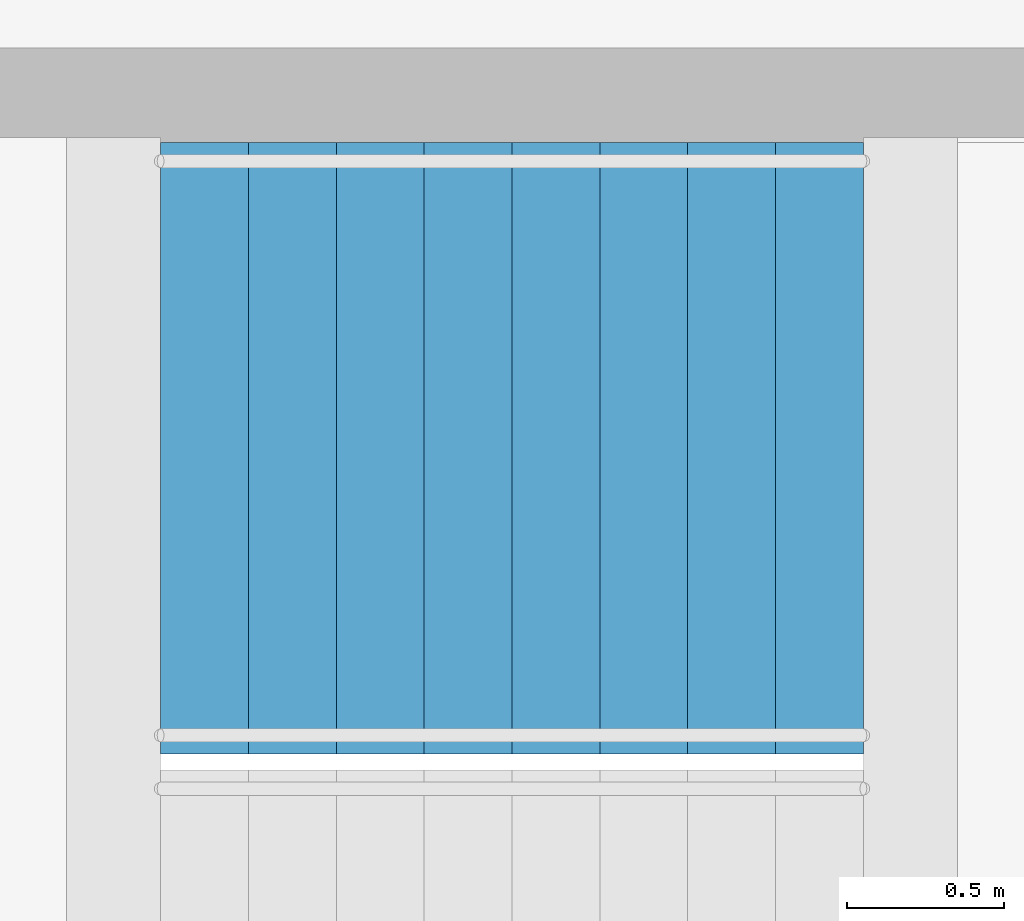
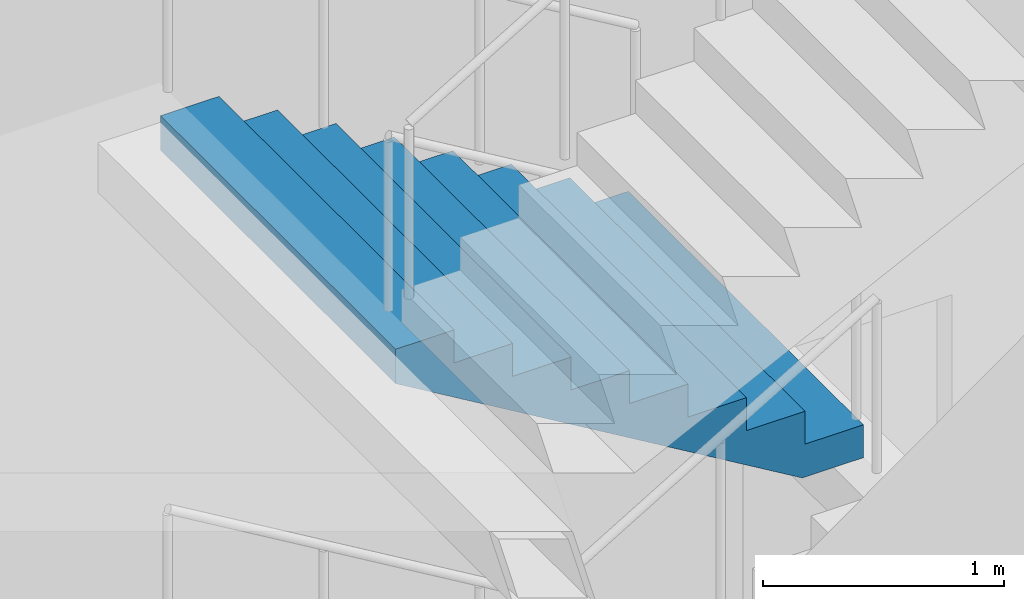
# One storey, part 34 of 57: 1 stair flight, 1 element without a shape of its own.
"""IFC4 building model written with IfcOpenShell, lengths in metres."""

from ifc_helpers import new_model, si_unit, direction, frame, origin, place, context, subcontext, project, spatial, triangles, material, type_object, element, aggregate, save


model = new_model("IFC4")

# Units and contexts
model_context = context("Model", 3, precision=1e-05, world=origin(), true_north=direction((0.0, 1.0)))
body_context = subcontext(model_context, "Body", "Model", "MODEL_VIEW")
ifc_project = project(units=[si_unit("LENGTHUNIT", "METRE"), si_unit("AREAUNIT", "SQUARE_METRE"), si_unit("VOLUMEUNIT", "CUBIC_METRE"), si_unit("PLANEANGLEUNIT", "RADIAN"), si_unit("MASSUNIT", "GRAM", prefix="KILO")], contexts=[model_context])

# Site, building, storey
site_placement = place(None, origin())
site = spatial("IfcSite", under=ifc_project, at=site_placement, CompositionType="ELEMENT")
building_placement = place(site_placement, origin())
building = spatial("IfcBuilding", under=site, at=building_placement, Name="Orbita Commons", CompositionType="ELEMENT")
storey_placement = place(building_placement, origin())
storey = spatial("IfcBuildingStorey", under=building, at=storey_placement, Name="L00", CompositionType="ELEMENT", Elevation=0.0)

# Stair, stair flight
ifc_material_1 = material(Name="Precast concrete C40/50", Category="concrete")
stair_type = type_object("IfcStairType", Name="Exit stair S2 4 flights 9 risers 167", PredefinedType="HALF_TURN_STAIR", material=ifc_material_1)
stair_placement = place(storey_placement, origin())
stair = element("IfcStair", 1, at=stair_placement, inside=storey, type_object=stair_type, Name="Exit stair S2 L00", PredefinedType="HALF_TURN_STAIR")
ifc_material_2 = material(Name="Precast concrete C40/50", Category="concrete")
stair_flight_type = type_object("IfcStairFlightType", Name="Stair flight 9 risers 167 x 280", PredefinedType="STRAIGHT", material=ifc_material_2)
stair_flight_placement = place(storey_placement, frame((63.550048828125, 29.27490234375, 3.0), z_axis=(0.0, 0.0, 1.0), x_axis=(-1.0, 0.0, 0.0)))
stair_flight = element("IfcStairFlight", 2, at=stair_flight_placement, type_object=stair_flight_type, Name="S2 flight 3", NumberOfRisers=9, NumberOfTreads=8, PredefinedType="STRAIGHT", RiserHeight=0.166666667, TreadLength=0.28, context=body_context, shape_type="Tessellation", body=[
    triangles([(0.0, 0.974976, 0.0), (0.0, 0.974976, 0.020833), (0.0, 0.81248, 0.020833), (0.0, 0.81248, 0.0), (0.0, 0.649984, 0.020833), (0.0, 0.649984, 0.0), (0.0, 0.487488, 0.020833), (0.0, 0.487488, 0.0), (0.0, 0.324992, 0.020833), (0.0, 0.324992, 0.0), (0.0, 0.162496, 0.020833), (0.0, 0.162496, 0.0), (0.0, 0.0, 0.020833), (0.0, 0.0, 0.0), (0.0, -0.162496, 0.020833), (0.0, -0.162496, 0.0), (0.0, -0.324992, 0.020833), (0.0, -0.324992, 0.0), (0.0, -0.487488, 0.020833), (0.0, -0.487488, 0.0), (0.0, -0.649984, 0.020833), (0.0, -0.649984, 0.0), (0.0, -0.81248, 0.020833), (0.0, -0.81248, 0.0), (0.0, -0.974976, 0.020833), (0.0, -0.974976, 0.0), (0.0, 0.974976, 0.041667), (0.0, 0.81248, 0.041667), (0.0, 0.649984, 0.041667), (0.0, 0.487488, 0.041667), (0.0, 0.324992, 0.041667), (0.0, 0.162496, 0.041667), (0.0, 0.0, 0.041667), (0.0, -0.162496, 0.041667), (0.0, -0.324992, 0.041667), (0.0, -0.487488, 0.041667), (0.0, -0.649984, 0.041667), (0.0, -0.81248, 0.041667), (0.0, -0.974976, 0.041667), (0.0, 0.974976, 0.0625), (0.0, 0.81248, 0.0625), (0.0, 0.649984, 0.0625), (0.0, 0.487488, 0.0625), (0.0, 0.324992, 0.0625), (0.0, 0.162496, 0.0625), (0.0, 0.0, 0.0625), (0.0, -0.162496, 0.0625), (0.0, -0.324992, 0.0625), (0.0, -0.487488, 0.0625), (0.0, -0.649984, 0.0625), (0.0, -0.81248, 0.0625), (0.0, -0.974976, 0.0625), (0.0, 0.974976, 0.083333), (0.0, 0.81248, 0.083333), (0.0, 0.649984, 0.083333), (0.0, 0.487488, 0.083333), (0.0, 0.324992, 0.083333), (0.0, 0.162496, 0.083333), (0.0, 0.0, 0.083333), (0.0, -0.162496, 0.083333), (0.0, -0.324992, 0.083333), (0.0, -0.487488, 0.083333), (0.0, -0.649984, 0.083333), (0.0, -0.81248, 0.083333), (0.0, -0.974976, 0.083333), (0.0, 0.974976, 0.104167), (0.0, 0.81248, 0.104167), (0.0, 0.649984, 0.104167), (0.0, 0.487488, 0.104167), (0.0, 0.324992, 0.104167), (0.0, 0.162496, 0.104167), (0.0, 0.0, 0.104167), (0.0, -0.162496, 0.104167), (0.0, -0.324992, 0.104167), (0.0, -0.487488, 0.104167), (0.0, -0.649984, 0.104167), (0.0, -0.81248, 0.104167), (0.0, -0.974976, 0.104167), (0.0, 0.974976, 0.125), (0.0, 0.81248, 0.125), (0.0, 0.649984, 0.125), (0.0, 0.487488, 0.125), (0.0, 0.324992, 0.125), (0.0, 0.162496, 0.125), (0.0, 0.0, 0.125), (0.0, -0.162496, 0.125), (0.0, -0.324992, 0.125), (0.0, -0.487488, 0.125), (0.0, -0.649984, 0.125), (0.0, -0.81248, 0.125), (0.0, -0.974976, 0.125), (0.0, 0.974976, 0.145833), (0.0, 0.81248, 0.145833), (0.0, 0.649984, 0.145833), (0.0, 0.487488, 0.145833), (0.0, 0.324992, 0.145833), (0.0, 0.162496, 0.145833), (0.0, 0.0, 0.145833), (0.0, -0.162496, 0.145833), (0.0, -0.324992, 0.145833), (0.0, -0.487488, 0.145833), (0.0, -0.649984, 0.145833), (0.0, -0.81248, 0.145833), (0.0, -0.974976, 0.145833), (0.0, 0.974976, 0.166667), (0.0, 0.81248, 0.166667), (0.0, 0.649984, 0.166667), (0.0, 0.487488, 0.166667), (0.0, 0.324992, 0.166667), (0.0, 0.162496, 0.166667), (0.0, 0.0, 0.166667), (0.0, -0.162496, 0.166667), (0.0, -0.324992, 0.166667), (0.0, -0.487488, 0.166667), (0.0, -0.649984, 0.166667), (0.0, -0.81248, 0.166667), (0.0, -0.974976, 0.166667), (0.28, 0.974976, 0.166667), (0.28, 0.81248, 0.166667), (0.28, 0.649984, 0.166667), (0.28, 0.487488, 0.166667), (0.28, 0.324992, 0.166667), (0.28, 0.162496, 0.166667), (0.28, 0.0, 0.166667), (0.28, -0.162496, 0.166667), (0.28, -0.324992, 0.166667), (0.28, -0.487488, 0.166667), (0.28, -0.649984, 0.166667), (0.28, -0.81248, 0.166667), (0.28, -0.974976, 0.166667), (0.28, 0.974976, 0.333333), (0.28, 0.81248, 0.333333), (0.28, 0.649984, 0.333333), (0.28, 0.487488, 0.333333), (0.28, 0.324992, 0.333333), (0.28, 0.162496, 0.333333), (0.28, 0.0, 0.333333), (0.28, -0.162496, 0.333333), (0.28, -0.324992, 0.333333), (0.28, -0.487488, 0.333333), (0.28, -0.649984, 0.333333), (0.28, -0.81248, 0.333333), (0.28, -0.974976, 0.333333), (0.56, 0.974976, 0.333333), (0.56, 0.81248, 0.333333), (0.56, 0.649984, 0.333333), (0.56, 0.487488, 0.333333), (0.56, 0.324992, 0.333333), (0.56, 0.162496, 0.333333), (0.56, 0.0, 0.333333), (0.56, -0.162496, 0.333333), (0.56, -0.324992, 0.333333), (0.56, -0.487488, 0.333333), (0.56, -0.649984, 0.333333), (0.56, -0.81248, 0.333333), (0.56, -0.974976, 0.333333), (0.56, 0.974976, 0.5), (0.56, 0.81248, 0.5), (0.56, 0.649984, 0.5), (0.56, 0.487488, 0.5), (0.56, 0.324992, 0.5), (0.56, 0.162496, 0.5), (0.56, 0.0, 0.5), (0.56, -0.162496, 0.5), (0.56, -0.324992, 0.5), (0.56, -0.487488, 0.5), (0.56, -0.649984, 0.5), (0.56, -0.81248, 0.5), (0.56, -0.974976, 0.5), (0.84, 0.974976, 0.5), (0.84, 0.81248, 0.5), (0.84, 0.649984, 0.5), (0.84, 0.487488, 0.5), (0.84, 0.324992, 0.5), (0.84, 0.162496, 0.5), (0.84, 0.0, 0.5), (0.84, -0.162496, 0.5), (0.84, -0.324992, 0.5), (0.84, -0.487488, 0.5), (0.84, -0.649984, 0.5), (0.84, -0.81248, 0.5), (0.84, -0.974976, 0.5), (0.84, 0.974976, 0.666667), (0.84, 0.81248, 0.666667), (0.84, 0.649984, 0.666667), (0.84, 0.487488, 0.666667), (0.84, 0.324992, 0.666667), (0.84, 0.162496, 0.666667), (0.84, 0.0, 0.666667), (0.84, -0.162496, 0.666667), (0.84, -0.324992, 0.666667), (0.84, -0.487488, 0.666667), (0.84, -0.649984, 0.666667), (0.84, -0.81248, 0.666667), (0.84, -0.974976, 0.666667), (1.12, 0.974976, 0.666667), (1.12, 0.81248, 0.666667), (1.12, 0.649984, 0.666667), (1.12, 0.487488, 0.666667), (1.12, 0.324992, 0.666667), (1.12, 0.162496, 0.666667), (1.12, 0.0, 0.666667), (1.12, -0.162496, 0.666667), (1.12, -0.324992, 0.666667), (1.12, -0.487488, 0.666667), (1.12, -0.649984, 0.666667), (1.12, -0.81248, 0.666667), (1.12, -0.974976, 0.666667), (1.12, 0.974976, 0.833333), (1.12, 0.81248, 0.833333), (1.12, 0.649984, 0.833333), (1.12, 0.487488, 0.833333), (1.12, 0.324992, 0.833333), (1.12, 0.162496, 0.833333), (1.12, 0.0, 0.833333), (1.12, -0.162496, 0.833333), (1.12, -0.324992, 0.833333), (1.12, -0.487488, 0.833333), (1.12, -0.649984, 0.833333), (1.12, -0.81248, 0.833333), (1.12, -0.974976, 0.833333), (1.4, 0.974976, 0.833333), (1.4, 0.81248, 0.833333), (1.4, 0.649984, 0.833333), (1.4, 0.487488, 0.833333), (1.4, 0.324992, 0.833333), (1.4, 0.162496, 0.833333), (1.4, 0.0, 0.833333), (1.4, -0.162496, 0.833333), (1.4, -0.324992, 0.833333), (1.4, -0.487488, 0.833333), (1.4, -0.649984, 0.833333), (1.4, -0.81248, 0.833333), (1.4, -0.974976, 0.833333), (1.4, 0.974976, 1.0), (1.4, 0.81248, 1.0), (1.4, 0.649984, 1.0), (1.4, 0.487488, 1.0), (1.4, 0.324992, 1.0), (1.4, 0.162496, 1.0), (1.4, 0.0, 1.0), (1.4, -0.162496, 1.0), (1.4, -0.324992, 1.0), (1.4, -0.487488, 1.0), (1.4, -0.649984, 1.0), (1.4, -0.81248, 1.0), (1.4, -0.974976, 1.0), (1.68, 0.974976, 1.0), (1.68, 0.81248, 1.0), (1.68, 0.649984, 1.0), (1.68, 0.487488, 1.0), (1.68, 0.324992, 1.0), (1.68, 0.162496, 1.0), (1.68, 0.0, 1.0), (1.68, -0.162496, 1.0), (1.68, -0.324992, 1.0), (1.68, -0.487488, 1.0), (1.68, -0.649984, 1.0), (1.68, -0.81248, 1.0), (1.68, -0.974976, 1.0), (1.68, 0.974976, 1.166667), (1.68, 0.81248, 1.166667), (1.68, 0.649984, 1.166667), (1.68, 0.487488, 1.166667), (1.68, 0.324992, 1.166667), (1.68, 0.162496, 1.166667), (1.68, 0.0, 1.166667), (1.68, -0.162496, 1.166667), (1.68, -0.324992, 1.166667), (1.68, -0.487488, 1.166667), (1.68, -0.649984, 1.166667), (1.68, -0.81248, 1.166667), (1.68, -0.974976, 1.166667), (1.96, 0.974976, 1.166667), (1.96, 0.81248, 1.166667), (1.96, 0.649984, 1.166667), (1.96, 0.487488, 1.166667), (1.96, 0.324992, 1.166667), (1.96, 0.162496, 1.166667), (1.96, 0.0, 1.166667), (1.96, -0.162496, 1.166667), (1.96, -0.324992, 1.166667), (1.96, -0.487488, 1.166667), (1.96, -0.649984, 1.166667), (1.96, -0.81248, 1.166667), (1.96, -0.974976, 1.166667), (1.96, 0.974976, 1.333333), (1.96, 0.81248, 1.333333), (1.96, 0.649984, 1.333333), (1.96, 0.487488, 1.333333), (1.96, 0.324992, 1.333333), (1.96, 0.162496, 1.333333), (1.96, 0.0, 1.333333), (1.96, -0.162496, 1.333333), (1.96, -0.324992, 1.333333), (1.96, -0.487488, 1.333333), (1.96, -0.649984, 1.333333), (1.96, -0.81248, 1.333333), (1.96, -0.974976, 1.333333), (2.24, 0.974976, 1.333333), (2.24, 0.81248, 1.333333), (2.24, 0.649984, 1.333333), (2.24, 0.487488, 1.333333), (2.24, 0.324992, 1.333333), (2.24, 0.162496, 1.333333), (2.24, 0.0, 1.333333), (2.24, -0.162496, 1.333333), (2.24, -0.324992, 1.333333), (2.24, -0.487488, 1.333333), (2.24, -0.649984, 1.333333), (2.24, -0.81248, 1.333333), (2.24, -0.974976, 1.333333), (2.24, 0.974976, 1.311527), (2.24, 0.81248, 1.311527), (2.24, 0.649984, 1.311527), (2.24, 0.487488, 1.311527), (2.24, 0.324992, 1.311527), (2.24, 0.162496, 1.311527), (2.24, 0.0, 1.311527), (2.24, -0.162496, 1.311527), (2.24, -0.324992, 1.311527), (2.24, -0.487488, 1.311527), (2.24, -0.649984, 1.311527), (2.24, -0.81248, 1.311527), (2.24, -0.974976, 1.311527), (2.24, 0.974976, 1.289721), (2.24, 0.81248, 1.289721), (2.24, 0.649984, 1.289721), (2.24, 0.487488, 1.289721), (2.24, 0.324992, 1.289721), (2.24, 0.162496, 1.289721), (2.24, 0.0, 1.289721), (2.24, -0.162496, 1.289721), (2.24, -0.324992, 1.289721), (2.24, -0.487488, 1.289721), (2.24, -0.649984, 1.289721), (2.24, -0.81248, 1.289721), (2.24, -0.974976, 1.289721), (2.24, 0.974976, 1.267915), (2.24, 0.81248, 1.267915), (2.24, 0.649984, 1.267915), (2.24, 0.487488, 1.267915), (2.24, 0.324992, 1.267915), (2.24, 0.162496, 1.267915), (2.24, 0.0, 1.267915), (2.24, -0.162496, 1.267915), (2.24, -0.324992, 1.267915), (2.24, -0.487488, 1.267915), (2.24, -0.649984, 1.267915), (2.24, -0.81248, 1.267915), (2.24, -0.974976, 1.267915), (2.24, 0.974976, 1.246109), (2.24, 0.81248, 1.246109), (2.24, 0.649984, 1.246109), (2.24, 0.487488, 1.246109), (2.24, 0.324992, 1.246109), (2.24, 0.162496, 1.246109), (2.24, 0.0, 1.246109), (2.24, -0.162496, 1.246109), (2.24, -0.324992, 1.246109), (2.24, -0.487488, 1.246109), (2.24, -0.649984, 1.246109), (2.24, -0.81248, 1.246109), (2.24, -0.974976, 1.246109), (2.24, 0.974976, 1.224303), (2.24, 0.81248, 1.224303), (2.24, 0.649984, 1.224303), (2.24, 0.487488, 1.224303), (2.24, 0.324992, 1.224303), (2.24, 0.162496, 1.224303), (2.24, 0.0, 1.224303), (2.24, -0.162496, 1.224303), (2.24, -0.324992, 1.224303), (2.24, -0.487488, 1.224303), (2.24, -0.649984, 1.224303), (2.24, -0.81248, 1.224303), (2.24, -0.974976, 1.224303), (2.24, 0.974976, 1.202497), (2.24, 0.81248, 1.202497), (2.24, 0.649984, 1.202497), (2.24, 0.487488, 1.202497), (2.24, 0.324992, 1.202497), (2.24, 0.162496, 1.202497), (2.24, 0.0, 1.202497), (2.24, -0.162496, 1.202497), (2.24, -0.324992, 1.202497), (2.24, -0.487488, 1.202497), (2.24, -0.649984, 1.202497), (2.24, -0.81248, 1.202497), (2.24, -0.974976, 1.202497), (2.24, 0.974976, 1.180691), (2.24, 0.81248, 1.180691), (2.24, 0.649984, 1.180691), (2.24, 0.487488, 1.180691), (2.24, 0.324992, 1.180691), (2.24, 0.162496, 1.180691), (2.24, 0.0, 1.180691), (2.24, -0.162496, 1.180691), (2.24, -0.324992, 1.180691), (2.24, -0.487488, 1.180691), (2.24, -0.649984, 1.180691), (2.24, -0.81248, 1.180691), (2.24, -0.974976, 1.180691), (2.24, 0.974976, 1.158885), (2.24, 0.81248, 1.158885), (2.24, 0.649984, 1.158885), (2.24, 0.487488, 1.158885), (2.24, 0.324992, 1.158885), (2.24, 0.162496, 1.158885), (2.24, 0.0, 1.158885), (2.24, -0.162496, 1.158885), (2.24, -0.324992, 1.158885), (2.24, -0.487488, 1.158885), (2.24, -0.649984, 1.158885), (2.24, -0.81248, 1.158885), (2.24, -0.974976, 1.158885), (0.293073, 0.974976, 0.0), (0.293073, 0.81248, 0.0), (0.293073, 0.649984, 0.0), (0.293073, 0.487488, 0.0), (0.293073, 0.324992, 0.0), (0.293073, 0.162496, 0.0), (0.293073, 0.0, 0.0), (0.293073, -0.162496, 0.0), (0.293073, -0.324992, 0.0), (0.293073, -0.487488, 0.0), (0.293073, -0.649984, 0.0), (0.293073, -0.81248, 0.0), (0.293073, -0.974976, 0.0)], [[3, 2, 1], [4, 3, 1], [5, 3, 4], [6, 5, 4], [7, 5, 6], [8, 7, 6], [9, 7, 8], [10, 9, 8], [11, 9, 10], [12, 11, 10], [13, 11, 12], [14, 13, 12], [15, 13, 14], [16, 15, 14], [17, 15, 16], [18, 17, 16], [19, 17, 18], [20, 19, 18], [21, 19, 20], [22, 21, 20], [23, 21, 22], [24, 23, 22], [25, 23, 24], [26, 25, 24], [28, 27, 2], [3, 28, 2], [29, 28, 3], [5, 29, 3], [30, 29, 5], [7, 30, 5], [31, 30, 7], [9, 31, 7], [32, 31, 9], [11, 32, 9], [33, 32, 11], [13, 33, 11], [34, 33, 13], [15, 34, 13], [35, 34, 15], [17, 35, 15], [36, 35, 17], [19, 36, 17], [37, 36, 19], [21, 37, 19], [38, 37, 21], [23, 38, 21], [39, 38, 23], [25, 39, 23], [41, 40, 27], [28, 41, 27], [42, 41, 28], [29, 42, 28], [43, 42, 29], [30, 43, 29], [44, 43, 30], [31, 44, 30], [45, 44, 31], [32, 45, 31], [46, 45, 32], [33, 46, 32], [47, 46, 33], [34, 47, 33], [48, 47, 34], [35, 48, 34], [49, 48, 35], [36, 49, 35], [50, 49, 36], [37, 50, 36], [51, 50, 37], [38, 51, 37], [52, 51, 38], [39, 52, 38], [54, 53, 40], [41, 54, 40], [55, 54, 41], [42, 55, 41], [56, 55, 42], [43, 56, 42], [57, 56, 43], [44, 57, 43], [58, 57, 44], [45, 58, 44], [59, 58, 45], [46, 59, 45], [60, 59, 46], [47, 60, 46], [61, 60, 47], [48, 61, 47], [62, 61, 48], [49, 62, 48], [63, 62, 49], [50, 63, 49], [64, 63, 50], [51, 64, 50], [65, 64, 51], [52, 65, 51], [67, 66, 53], [54, 67, 53], [68, 67, 54], [55, 68, 54], [69, 68, 55], [56, 69, 55], [70, 69, 56], [57, 70, 56], [71, 70, 57], [58, 71, 57], [72, 71, 58], [59, 72, 58], [73, 72, 59], [60, 73, 59], [74, 73, 60], [61, 74, 60], [75, 74, 61], [62, 75, 61], [76, 75, 62], [63, 76, 62], [77, 76, 63], [64, 77, 63], [78, 77, 64], [65, 78, 64], [80, 79, 66], [67, 80, 66], [81, 80, 67], [68, 81, 67], [82, 81, 68], [69, 82, 68], [83, 82, 69], [70, 83, 69], [84, 83, 70], [71, 84, 70], [85, 84, 71], [72, 85, 71], [86, 85, 72], [73, 86, 72], [87, 86, 73], [74, 87, 73], [88, 87, 74], [75, 88, 74], [89, 88, 75], [76, 89, 75], [90, 89, 76], [77, 90, 76], [91, 90, 77], [78, 91, 77], [93, 92, 79], [80, 93, 79], [94, 93, 80], [81, 94, 80], [95, 94, 81], [82, 95, 81], [96, 95, 82], [83, 96, 82], [97, 96, 83], [84, 97, 83], [98, 97, 84], [85, 98, 84], [99, 98, 85], [86, 99, 85], [100, 99, 86], [87, 100, 86], [101, 100, 87], [88, 101, 87], [102, 101, 88], [89, 102, 88], [103, 102, 89], [90, 103, 89], [104, 103, 90], [91, 104, 90], [106, 105, 92], [93, 106, 92], [107, 106, 93], [94, 107, 93], [108, 107, 94], [95, 108, 94], [109, 108, 95], [96, 109, 95], [110, 109, 96], [97, 110, 96], [111, 110, 97], [98, 111, 97], [112, 111, 98], [99, 112, 98], [113, 112, 99], [100, 113, 99], [114, 113, 100], [101, 114, 100], [115, 114, 101], [102, 115, 101], [116, 115, 102], [103, 116, 102], [117, 116, 103], [104, 117, 103], [119, 118, 105], [106, 119, 105], [120, 119, 106], [107, 120, 106], [121, 120, 107], [108, 121, 107], [122, 121, 108], [109, 122, 108], [123, 122, 109], [110, 123, 109], [124, 123, 110], [111, 124, 110], [125, 124, 111], [112, 125, 111], [126, 125, 112], [113, 126, 112], [127, 126, 113], [114, 127, 113], [128, 127, 114], [115, 128, 114], [129, 128, 115], [116, 129, 115], [130, 129, 116], [117, 130, 116], [132, 131, 118], [119, 132, 118], [133, 132, 119], [120, 133, 119], [134, 133, 120], [121, 134, 120], [135, 134, 121], [122, 135, 121], [136, 135, 122], [123, 136, 122], [137, 136, 123], [124, 137, 123], [138, 137, 124], [125, 138, 124], [139, 138, 125], [126, 139, 125], [140, 139, 126], [127, 140, 126], [141, 140, 127], [128, 141, 127], [142, 141, 128], [129, 142, 128], [143, 142, 129], [130, 143, 129], [145, 144, 131], [132, 145, 131], [146, 145, 132], [133, 146, 132], [147, 146, 133], [134, 147, 133], [148, 147, 134], [135, 148, 134], [149, 148, 135], [136, 149, 135], [150, 149, 136], [137, 150, 136], [151, 150, 137], [138, 151, 137], [152, 151, 138], [139, 152, 138], [153, 152, 139], [140, 153, 139], [154, 153, 140], [141, 154, 140], [155, 154, 141], [142, 155, 141], [156, 155, 142], [143, 156, 142], [158, 157, 144], [145, 158, 144], [159, 158, 145], [146, 159, 145], [160, 159, 146], [147, 160, 146], [161, 160, 147], [148, 161, 147], [162, 161, 148], [149, 162, 148], [163, 162, 149], [150, 163, 149], [164, 163, 150], [151, 164, 150], [165, 164, 151], [152, 165, 151], [166, 165, 152], [153, 166, 152], [167, 166, 153], [154, 167, 153], [168, 167, 154], [155, 168, 154], [169, 168, 155], [156, 169, 155], [171, 170, 157], [158, 171, 157], [172, 171, 158], [159, 172, 158], [173, 172, 159], [160, 173, 159], [174, 173, 160], [161, 174, 160], [175, 174, 161], [162, 175, 161], [176, 175, 162], [163, 176, 162], [177, 176, 163], [164, 177, 163], [178, 177, 164], [165, 178, 164], [179, 178, 165], [166, 179, 165], [180, 179, 166], [167, 180, 166], [181, 180, 167], [168, 181, 167], [182, 181, 168], [169, 182, 168], [184, 183, 170], [171, 184, 170], [185, 184, 171], [172, 185, 171], [186, 185, 172], [173, 186, 172], [187, 186, 173], [174, 187, 173], [188, 187, 174], [175, 188, 174], [189, 188, 175], [176, 189, 175], [190, 189, 176], [177, 190, 176], [191, 190, 177], [178, 191, 177], [192, 191, 178], [179, 192, 178], [193, 192, 179], [180, 193, 179], [194, 193, 180], [181, 194, 180], [195, 194, 181], [182, 195, 181], [197, 196, 183], [184, 197, 183], [198, 197, 184], [185, 198, 184], [199, 198, 185], [186, 199, 185], [200, 199, 186], [187, 200, 186], [201, 200, 187], [188, 201, 187], [202, 201, 188], [189, 202, 188], [203, 202, 189], [190, 203, 189], [204, 203, 190], [191, 204, 190], [205, 204, 191], [192, 205, 191], [206, 205, 192], [193, 206, 192], [207, 206, 193], [194, 207, 193], [208, 207, 194], [195, 208, 194], [210, 209, 196], [197, 210, 196], [211, 210, 197], [198, 211, 197], [212, 211, 198], [199, 212, 198], [213, 212, 199], [200, 213, 199], [214, 213, 200], [201, 214, 200], [215, 214, 201], [202, 215, 201], [216, 215, 202], [203, 216, 202], [217, 216, 203], [204, 217, 203], [218, 217, 204], [205, 218, 204], [219, 218, 205], [206, 219, 205], [220, 219, 206], [207, 220, 206], [221, 220, 207], [208, 221, 207], [223, 222, 209], [210, 223, 209], [224, 223, 210], [211, 224, 210], [225, 224, 211], [212, 225, 211], [226, 225, 212], [213, 226, 212], [227, 226, 213], [214, 227, 213], [228, 227, 214], [215, 228, 214], [229, 228, 215], [216, 229, 215], [230, 229, 216], [217, 230, 216], [231, 230, 217], [218, 231, 217], [232, 231, 218], [219, 232, 218], [233, 232, 219], [220, 233, 219], [234, 233, 220], [221, 234, 220], [236, 235, 222], [223, 236, 222], [237, 236, 223], [224, 237, 223], [238, 237, 224], [225, 238, 224], [239, 238, 225], [226, 239, 225], [240, 239, 226], [227, 240, 226], [241, 240, 227], [228, 241, 227], [242, 241, 228], [229, 242, 228], [243, 242, 229], [230, 243, 229], [244, 243, 230], [231, 244, 230], [245, 244, 231], [232, 245, 231], [246, 245, 232], [233, 246, 232], [247, 246, 233], [234, 247, 233], [249, 248, 235], [236, 249, 235], [250, 249, 236], [237, 250, 236], [251, 250, 237], [238, 251, 237], [252, 251, 238], [239, 252, 238], [253, 252, 239], [240, 253, 239], [254, 253, 240], [241, 254, 240], [255, 254, 241], [242, 255, 241], [256, 255, 242], [243, 256, 242], [257, 256, 243], [244, 257, 243], [258, 257, 244], [245, 258, 244], [259, 258, 245], [246, 259, 245], [260, 259, 246], [247, 260, 246], [262, 261, 248], [249, 262, 248], [263, 262, 249], [250, 263, 249], [264, 263, 250], [251, 264, 250], [265, 264, 251], [252, 265, 251], [266, 265, 252], [253, 266, 252], [267, 266, 253], [254, 267, 253], [268, 267, 254], [255, 268, 254], [269, 268, 255], [256, 269, 255], [270, 269, 256], [257, 270, 256], [271, 270, 257], [258, 271, 257], [272, 271, 258], [259, 272, 258], [273, 272, 259], [260, 273, 259], [275, 274, 261], [262, 275, 261], [276, 275, 262], [263, 276, 262], [277, 276, 263], [264, 277, 263], [278, 277, 264], [265, 278, 264], [279, 278, 265], [266, 279, 265], [280, 279, 266], [267, 280, 266], [281, 280, 267], [268, 281, 267], [282, 281, 268], [269, 282, 268], [283, 282, 269], [270, 283, 269], [284, 283, 270], [271, 284, 270], [285, 284, 271], [272, 285, 271], [286, 285, 272], [273, 286, 272], [288, 287, 274], [275, 288, 274], [289, 288, 275], [276, 289, 275], [290, 289, 276], [277, 290, 276], [291, 290, 277], [278, 291, 277], [292, 291, 278], [279, 292, 278], [293, 292, 279], [280, 293, 279], [294, 293, 280], [281, 294, 280], [295, 294, 281], [282, 295, 281], [296, 295, 282], [283, 296, 282], [297, 296, 283], [284, 297, 283], [298, 297, 284], [285, 298, 284], [299, 298, 285], [286, 299, 285], [301, 300, 287], [288, 301, 287], [302, 301, 288], [289, 302, 288], [303, 302, 289], [290, 303, 289], [304, 303, 290], [291, 304, 290], [305, 304, 291], [292, 305, 291], [306, 305, 292], [293, 306, 292], [307, 306, 293], [294, 307, 293], [308, 307, 294], [295, 308, 294], [309, 308, 295], [296, 309, 295], [310, 309, 296], [297, 310, 296], [311, 310, 297], [298, 311, 297], [312, 311, 298], [299, 312, 298], [314, 313, 300], [301, 314, 300], [315, 314, 301], [302, 315, 301], [316, 315, 302], [303, 316, 302], [317, 316, 303], [304, 317, 303], [318, 317, 304], [305, 318, 304], [319, 318, 305], [306, 319, 305], [320, 319, 306], [307, 320, 306], [321, 320, 307], [308, 321, 307], [322, 321, 308], [309, 322, 308], [323, 322, 309], [310, 323, 309], [324, 323, 310], [311, 324, 310], [325, 324, 311], [312, 325, 311], [327, 326, 313], [314, 327, 313], [328, 327, 314], [315, 328, 314], [329, 328, 315], [316, 329, 315], [330, 329, 316], [317, 330, 316], [331, 330, 317], [318, 331, 317], [332, 331, 318], [319, 332, 318], [333, 332, 319], [320, 333, 319], [334, 333, 320], [321, 334, 320], [335, 334, 321], [322, 335, 321], [336, 335, 322], [323, 336, 322], [337, 336, 323], [324, 337, 323], [338, 337, 324], [325, 338, 324], [340, 339, 326], [327, 340, 326], [341, 340, 327], [328, 341, 327], [342, 341, 328], [329, 342, 328], [343, 342, 329], [330, 343, 329], [344, 343, 330], [331, 344, 330], [345, 344, 331], [332, 345, 331], [346, 345, 332], [333, 346, 332], [347, 346, 333], [334, 347, 333], [348, 347, 334], [335, 348, 334], [349, 348, 335], [336, 349, 335], [350, 349, 336], [337, 350, 336], [351, 350, 337], [338, 351, 337], [353, 352, 339], [340, 353, 339], [354, 353, 340], [341, 354, 340], [355, 354, 341], [342, 355, 341], [356, 355, 342], [343, 356, 342], [357, 356, 343], [344, 357, 343], [358, 357, 344], [345, 358, 344], [359, 358, 345], [346, 359, 345], [360, 359, 346], [347, 360, 346], [361, 360, 347], [348, 361, 347], [362, 361, 348], [349, 362, 348], [363, 362, 349], [350, 363, 349], [364, 363, 350], [351, 364, 350], [366, 365, 352], [353, 366, 352], [367, 366, 353], [354, 367, 353], [368, 367, 354], [355, 368, 354], [369, 368, 355], [356, 369, 355], [370, 369, 356], [357, 370, 356], [371, 370, 357], [358, 371, 357], [372, 371, 358], [359, 372, 358], [373, 372, 359], [360, 373, 359], [374, 373, 360], [361, 374, 360], [375, 374, 361], [362, 375, 361], [376, 375, 362], [363, 376, 362], [377, 376, 363], [364, 377, 363], [379, 378, 365], [366, 379, 365], [380, 379, 366], [367, 380, 366], [381, 380, 367], [368, 381, 367], [382, 381, 368], [369, 382, 368], [383, 382, 369], [370, 383, 369], [384, 383, 370], [371, 384, 370], [385, 384, 371], [372, 385, 371], [386, 385, 372], [373, 386, 372], [387, 386, 373], [374, 387, 373], [388, 387, 374], [375, 388, 374], [389, 388, 375], [376, 389, 375], [390, 389, 376], [377, 390, 376], [392, 391, 378], [379, 392, 378], [393, 392, 379], [380, 393, 379], [394, 393, 380], [381, 394, 380], [395, 394, 381], [382, 395, 381], [396, 395, 382], [383, 396, 382], [397, 396, 383], [384, 397, 383], [398, 397, 384], [385, 398, 384], [399, 398, 385], [386, 399, 385], [400, 399, 386], [387, 400, 386], [401, 400, 387], [388, 401, 387], [402, 401, 388], [389, 402, 388], [403, 402, 389], [390, 403, 389], [405, 404, 391], [392, 405, 391], [406, 405, 392], [393, 406, 392], [407, 406, 393], [394, 407, 393], [408, 407, 394], [395, 408, 394], [409, 408, 395], [396, 409, 395], [410, 409, 396], [397, 410, 396], [411, 410, 397], [398, 411, 397], [412, 411, 398], [399, 412, 398], [413, 412, 399], [400, 413, 399], [414, 413, 400], [401, 414, 400], [415, 414, 401], [402, 415, 401], [416, 415, 402], [403, 416, 402], [418, 417, 404], [405, 418, 404], [419, 418, 405], [406, 419, 405], [420, 419, 406], [407, 420, 406], [421, 420, 407], [408, 421, 407], [422, 421, 408], [409, 422, 408], [423, 422, 409], [410, 423, 409], [424, 423, 410], [411, 424, 410], [425, 424, 411], [412, 425, 411], [426, 425, 412], [413, 426, 412], [427, 426, 413], [414, 427, 413], [428, 427, 414], [415, 428, 414], [429, 428, 415], [416, 429, 415], [4, 1, 417], [418, 4, 417], [6, 4, 418], [419, 6, 418], [8, 6, 419], [420, 8, 419], [10, 8, 420], [421, 10, 420], [12, 10, 421], [422, 12, 421], [14, 12, 422], [423, 14, 422], [16, 14, 423], [424, 16, 423], [18, 16, 424], [425, 18, 424], [20, 18, 425], [426, 20, 425], [22, 20, 426], [427, 22, 426], [24, 22, 427], [428, 24, 427], [26, 24, 428], [429, 26, 428], [404, 417, 1], [26, 429, 416], [391, 404, 1], [26, 416, 403], [378, 391, 1], [26, 403, 390], [365, 378, 1], [26, 390, 377], [352, 365, 1], [26, 377, 364], [339, 352, 1], [26, 364, 351], [326, 339, 1], [26, 351, 338], [313, 326, 1], [26, 338, 325], [287, 300, 313], [325, 312, 299], [274, 287, 313], [325, 299, 286], [248, 261, 274], [286, 273, 260], [248, 274, 313], [325, 286, 260], [222, 235, 248], [260, 247, 234], [222, 248, 313], [325, 260, 234], [196, 209, 222], [234, 221, 208], [196, 222, 313], [325, 234, 208], [170, 183, 196], [208, 195, 182], [170, 196, 313], [325, 208, 182], [144, 157, 170], [182, 169, 156], [144, 170, 313], [325, 182, 156], [118, 131, 144], [156, 143, 130], [118, 144, 313], [325, 156, 130], [118, 313, 1], [26, 325, 130], [92, 105, 118], [130, 117, 104], [79, 92, 118], [130, 104, 91], [66, 79, 118], [130, 91, 78], [53, 66, 118], [130, 78, 65], [40, 53, 118], [130, 65, 52], [27, 40, 118], [130, 52, 39], [2, 27, 118], [130, 39, 25], [1, 2, 118], [130, 25, 26]], closed=True),
])
aggregate(stair, [stair_flight])

save(model, "model.ifc")
